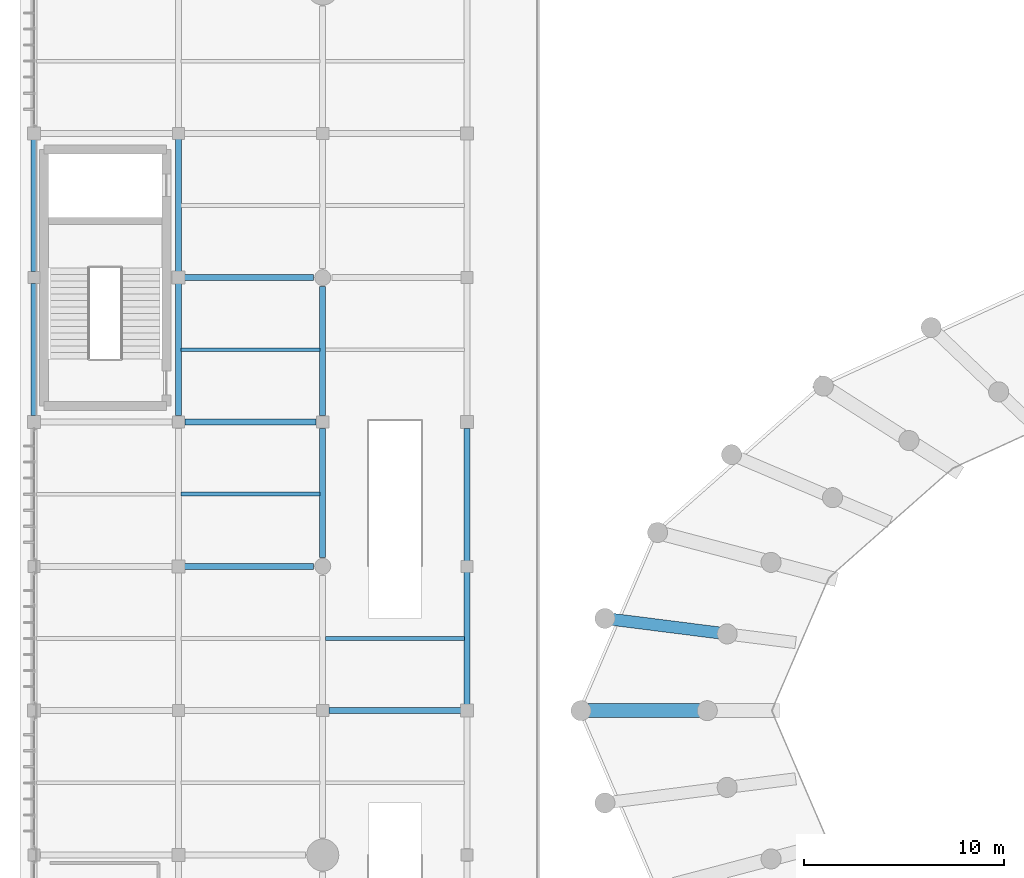
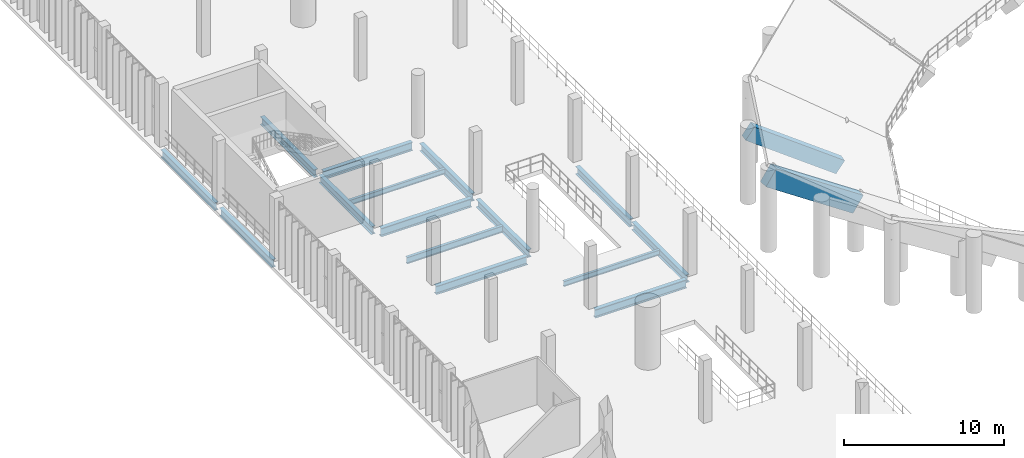
# One storey, part 38 of 105: 17 beams.
"""IFC4 building model written with IfcOpenShell, lengths in metres."""

from ifc_helpers import new_model, si_unit, direction, frame, origin, origin_2d, place, context, subcontext, project, spatial, rectangle, i_section, extrude, material, material_profile, profile_set, type_object, element, save


model = new_model("IFC4")

# Units and contexts
model_context = context("Model", 3, precision=1e-05, world=origin(), true_north=direction((0.0, 1.0)))
body_context = subcontext(model_context, "Body", "Model", "MODEL_VIEW")
ifc_project = project(units=[si_unit("LENGTHUNIT", "METRE"), si_unit("AREAUNIT", "SQUARE_METRE"), si_unit("VOLUMEUNIT", "CUBIC_METRE"), si_unit("PLANEANGLEUNIT", "RADIAN"), si_unit("MASSUNIT", "GRAM", prefix="KILO")], contexts=[model_context])

# Site, building, storey
site_placement = place(None, origin())
site = spatial("IfcSite", under=ifc_project, at=site_placement, CompositionType="ELEMENT")
building_placement = place(site_placement, origin())
building = spatial("IfcBuilding", under=site, at=building_placement, Name="Qandorah Velis Arena", CompositionType="ELEMENT")
storey_placement = place(building_placement, frame((0.0, 0.0, 13.800048828125)))
storey = spatial("IfcBuildingStorey", under=building, at=storey_placement, Name="L03", CompositionType="ELEMENT", Elevation=13.800048828125)

# Beams
ifc_material_1 = material(Name="Steel S355", Category="steel")
ifc_material_profile_1 = material_profile(ifc_material_1, i_section(OverallWidth=0.300048828125, OverallDepth=0.60009765625, WebThickness=0.015380859375, FlangeThickness=0.030029296875, FilletRadius=0.027099609375, at=origin_2d()), Name="HEB 600")
ifc_profile_set_1 = profile_set([ifc_material_profile_1], Name="Steel S355")
beam_type_1 = type_object("IfcBeamType", Name="STR-BM-HEB600", PredefinedType="BEAM", material=ifc_profile_set_1)
beam_1_placement = place(storey_placement, frame((0.0, 79.52490234375, -0.6201171875), z_axis=(0.0, 1.0, 0.0), x_axis=(-1.0, 0.0, 0.0)))
element("IfcBeam", 1, at=beam_1_placement, inside=storey, type_object=beam_type_1, Name="Primary floor girder L03 Y-187", PredefinedType="BEAM", context=body_context, shape_type="SweptSolid", body=[
    extrude(i_section(OverallWidth=0.300048828125, OverallDepth=0.60009765625, WebThickness=0.015380859375, FlangeThickness=0.030029296875, FilletRadius=0.027099609375, at=origin_2d()), origin(), (0.0, 0.0, 1.0), 6.5751953125),
])
beam_2_placement = place(storey_placement, frame((0.0, 86.699951171875, -0.6201171875), z_axis=(0.0, 1.0, 0.0), x_axis=(-1.0, 0.0, 0.0)))
element("IfcBeam", 2, at=beam_2_placement, inside=storey, type_object=beam_type_1, Name="Primary floor girder L03 Y-188", PredefinedType="BEAM", context=body_context, shape_type="SweptSolid", body=[
    extrude(i_section(OverallWidth=0.300048828125, OverallDepth=0.60009765625, WebThickness=0.015380859375, FlangeThickness=0.030029296875, FilletRadius=0.027099609375, at=origin_2d()), origin(), (0.0, 0.0, 1.0), 6.75),
])
beam_3_placement = place(storey_placement, frame((7.199951171875, 79.52490234375, -0.6201171875), z_axis=(0.0, 1.0, 0.0), x_axis=(-1.0, 0.0, 0.0)))
element("IfcBeam", 3, at=beam_3_placement, inside=storey, type_object=beam_type_1, Name="Primary floor girder L03 Y-201", PredefinedType="BEAM", context=body_context, shape_type="SweptSolid", body=[
    extrude(i_section(OverallWidth=0.300048828125, OverallDepth=0.60009765625, WebThickness=0.015380859375, FlangeThickness=0.030029296875, FilletRadius=0.027099609375, at=origin_2d()), origin(), (0.0, 0.0, 1.0), 6.5751953125),
])
beam_4_placement = place(storey_placement, frame((7.199951171875, 86.699951171875, -0.6201171875), z_axis=(0.0, 1.0, 0.0), x_axis=(-1.0, 0.0, 0.0)))
element("IfcBeam", 4, at=beam_4_placement, inside=storey, type_object=beam_type_1, Name="Primary floor girder L03 Y-202", PredefinedType="BEAM", context=body_context, shape_type="SweptSolid", body=[
    extrude(i_section(OverallWidth=0.300048828125, OverallDepth=0.60009765625, WebThickness=0.015380859375, FlangeThickness=0.030029296875, FilletRadius=0.027099609375, at=origin_2d()), origin(), (0.0, 0.0, 1.0), 6.75),
])
for number, where, z_axis, x_axis, name in (
    (5, (14.39990234375, 72.449951171875, -0.6201171875), (0.0, 1.0, 0.0), (-1.0, 0.0, 0.0), "Primary floor girder L03 Y-214"),
    (6, (14.39990234375, 79.52490234375, -0.6201171875), (0.0, 1.0, 0.0), (-1.0, 0.0, 0.0), "Primary floor girder L03 Y-215"),
):
    element("IfcBeam", number, at=place(storey_placement, frame(where, z_axis=z_axis, x_axis=x_axis)), inside=storey, type_object=beam_type_1, Name=name, PredefinedType="BEAM", context=body_context, shape_type="SweptSolid", body=[
        extrude(i_section(OverallWidth=0.300048828125, OverallDepth=0.60009765625, WebThickness=0.015380859375, FlangeThickness=0.030029296875, FilletRadius=0.027099609375, at=origin_2d()), origin(), (0.0, 0.0, 1.0), 6.425048828125),
    ])
beam_5_placement = place(storey_placement, frame((21.60009765625, 65.10009765625, -0.6201171875), z_axis=(0.0, 1.0, 0.0), x_axis=(-1.0, 0.0, 0.0)))
element("IfcBeam", 7, at=beam_5_placement, inside=storey, type_object=beam_type_1, Name="Primary floor girder L03 Y-227", PredefinedType="BEAM", context=body_context, shape_type="SweptSolid", body=[
    extrude(i_section(OverallWidth=0.300048828125, OverallDepth=0.60009765625, WebThickness=0.015380859375, FlangeThickness=0.030029296875, FilletRadius=0.027099609375, at=origin_2d()), origin(), (0.0, 0.0, 1.0), 6.75),
])
beam_6_placement = place(storey_placement, frame((21.60009765625, 72.14990234375, -0.6201171875), z_axis=(0.0, 1.0, 0.0), x_axis=(-1.0, 0.0, 0.0)))
element("IfcBeam", 8, at=beam_6_placement, inside=storey, type_object=beam_type_1, Name="Primary floor girder L03 Y-228", PredefinedType="BEAM", context=body_context, shape_type="SweptSolid", body=[
    extrude(i_section(OverallWidth=0.300048828125, OverallDepth=0.60009765625, WebThickness=0.015380859375, FlangeThickness=0.030029296875, FilletRadius=0.027099609375, at=origin_2d()), origin(), (0.0, 0.0, 1.0), 6.72509765625),
])
ifc_material_profile_2 = material_profile(ifc_material_1, i_section(OverallWidth=0.300048828125, OverallDepth=0.64990234375, WebThickness=0.01611328125, FlangeThickness=0.031005859375, FilletRadius=0.027099609375, at=origin_2d()), Name="HEB 650")
ifc_profile_set_2 = profile_set([ifc_material_profile_2], Name="Steel S355")
beam_type_2 = type_object("IfcBeamType", Name="STR-BM-HEB650", PredefinedType="BEAM", material=ifc_profile_set_2)
beam_7_placement = place(storey_placement, frame((14.699951171875, 64.800048828125, -0.64501953125), z_axis=(1.0, 0.0, 0.0), x_axis=(0.0, 1.0, 0.0)))
element("IfcBeam", 9, at=beam_7_placement, inside=storey, type_object=beam_type_2, Name="Primary floor girder L03 X-091", PredefinedType="BEAM", context=body_context, shape_type="SweptSolid", body=[
    extrude(i_section(OverallWidth=0.300048828125, OverallDepth=0.64990234375, WebThickness=0.01611328125, FlangeThickness=0.031005859375, FilletRadius=0.027099609375, at=origin_2d()), origin(), (0.0, 0.0, 1.0), 6.60009765625),
])
beam_8_placement = place(storey_placement, frame((7.35009765625, 72.0, -0.64501953125), z_axis=(1.0, 0.0, 0.0), x_axis=(0.0, 1.0, 0.0)))
element("IfcBeam", 10, at=beam_8_placement, inside=storey, type_object=beam_type_2, Name="Primary floor girder L03 X-096", PredefinedType="BEAM", context=body_context, shape_type="SweptSolid", body=[
    extrude(i_section(OverallWidth=0.300048828125, OverallDepth=0.64990234375, WebThickness=0.01611328125, FlangeThickness=0.031005859375, FilletRadius=0.027099609375, at=origin_2d()), origin(), (0.0, 0.0, 1.0), 6.599853515625),
])
beam_9_placement = place(storey_placement, frame((7.52490234375, 79.199951171875, -0.64501953125), z_axis=(1.0, 0.0, 0.0), x_axis=(0.0, 1.0, 0.0)))
element("IfcBeam", 11, at=beam_9_placement, inside=storey, type_object=beam_type_2, Name="Primary floor girder L03 X-101", PredefinedType="BEAM", context=body_context, shape_type="SweptSolid", body=[
    extrude(i_section(OverallWidth=0.300048828125, OverallDepth=0.64990234375, WebThickness=0.01611328125, FlangeThickness=0.031005859375, FilletRadius=0.027099609375, at=origin_2d()), origin(), (0.0, 0.0, 1.0), 6.550048828125),
])
beam_10_placement = place(storey_placement, frame((7.5, 86.39990234375, -0.64501953125), z_axis=(1.0, 0.0, 0.0), x_axis=(0.0, 1.0, 0.0)))
element("IfcBeam", 12, at=beam_10_placement, inside=storey, type_object=beam_type_2, Name="Primary floor girder L03 X-105", PredefinedType="BEAM", context=body_context, shape_type="SweptSolid", body=[
    extrude(i_section(OverallWidth=0.300048828125, OverallDepth=0.64990234375, WebThickness=0.01611328125, FlangeThickness=0.031005859375, FilletRadius=0.027099609375, at=origin_2d()), origin(), (0.0, 0.0, 1.0), 6.449951171875),
])
ifc_material_profile_3 = material_profile(ifc_material_1, i_section(OverallWidth=0.179931640625, OverallDepth=0.39990234375, WebThickness=0.008544921875, FlangeThickness=0.013427734375, FilletRadius=0.02099609375, at=origin_2d()), Name="IPE 400")
ifc_profile_set_3 = profile_set([ifc_material_profile_3], Name="Steel S355")
beam_type_3 = type_object("IfcBeamType", Name="STR-JST-IPE400", PredefinedType="JOIST", material=ifc_profile_set_3)
beam_11_placement = place(storey_placement, frame((7.3349609375, 82.800048828125, -0.52001953125), z_axis=(1.0, 0.0, 0.0), x_axis=(0.0, 1.0, 0.0)))
element("IfcBeam", 13, at=beam_11_placement, inside=storey, type_object=beam_type_3, Name="Secondary floor joist L03-020", PredefinedType="JOIST", context=body_context, shape_type="SweptSolid", body=[
    extrude(i_section(OverallWidth=0.179931640625, OverallDepth=0.39990234375, WebThickness=0.008544921875, FlangeThickness=0.013427734375, FilletRadius=0.02099609375, at=origin_2d()), origin(), (0.0, 0.0, 1.0), 6.929931640625),
])
beam_12_placement = place(storey_placement, frame((14.534912109375, 68.39990234375, -0.52001953125), z_axis=(1.0, 0.0, 0.0), x_axis=(0.0, 1.0, 0.0)))
element("IfcBeam", 14, at=beam_12_placement, inside=storey, type_object=beam_type_3, Name="Secondary floor joist L03-031", PredefinedType="JOIST", context=body_context, shape_type="SweptSolid", body=[
    extrude(i_section(OverallWidth=0.179931640625, OverallDepth=0.39990234375, WebThickness=0.008544921875, FlangeThickness=0.013427734375, FilletRadius=0.02099609375, at=origin_2d()), origin(), (0.0, 0.0, 1.0), 6.93017578125),
])
ifc_material_profile_4 = material_profile(ifc_material_1, i_section(OverallWidth=0.199951171875, OverallDepth=0.5, WebThickness=0.01025390625, FlangeThickness=0.01611328125, FilletRadius=0.02099609375, at=origin_2d()), Name="IPE 500")
ifc_profile_set_4 = profile_set([ifc_material_profile_4], Name="Steel S355")
beam_type_4 = type_object("IfcBeamType", Name="STR-JST-IPE500", PredefinedType="JOIST", material=ifc_profile_set_4)
beam_13_placement = place(storey_placement, frame((7.3349609375, 75.60009765625, -0.570068359375), z_axis=(1.0, 0.0, 0.0), x_axis=(0.0, 1.0, 0.0)))
element("IfcBeam", 15, at=beam_13_placement, inside=storey, type_object=beam_type_4, Name="Secondary floor joist L03-019", PredefinedType="JOIST", context=body_context, shape_type="SweptSolid", body=[
    extrude(i_section(OverallWidth=0.199951171875, OverallDepth=0.5, WebThickness=0.01025390625, FlangeThickness=0.01611328125, FilletRadius=0.02099609375, at=origin_2d()), origin(), (0.0, 0.0, 1.0), 6.929931640625),
])
ifc_material_2 = material(Name="Concrete C40/50", Category="concrete")
ifc_material_profile_5 = material_profile(ifc_material_2, rectangle(XDim=0.60009765625, YDim=1.050048828125, at=origin_2d()), Name="RC RAKER 600x1050")
ifc_profile_set_5 = profile_set([ifc_material_profile_5], Name="Concrete C40/50")
beam_type_5 = type_object("IfcBeamType", Name="STR-RAK-600X1050", PredefinedType="USERDEFINED", material=ifc_profile_set_5)
beam_14_placement = place(storey_placement, frame((34.573974609375, 68.62841796875, 1.40966796875), z_axis=(-0.816981535734, 0.10346754109, 0.567305595081), x_axis=(-0.12564252233, -0.992075580076, 0.0)))
element("IfcBeam", 16, at=beam_14_placement, inside=storey, type_object=beam_type_5, Name="Upper bowl back-span raker RB-UB08.2", ObjectType="RAKER BEAM", PredefinedType="USERDEFINED", context=body_context, shape_type="SweptSolid", body=[
    extrude(rectangle(XDim=0.60009765625, YDim=1.050048828125, at=origin_2d()), origin(), (0.0, 0.0, 1.0), 7.4658203125),
])
ifc_material_profile_6 = material_profile(ifc_material_2, rectangle(XDim=0.699951171875, YDim=1.35009765625, at=origin_2d()), Name="RC RAKER 700x1350")
ifc_profile_set_6 = profile_set([ifc_material_profile_6], Name="Concrete C40/50")
beam_type_6 = type_object("IfcBeamType", Name="STR-RAK-700X1350", PredefinedType="USERDEFINED", material=ifc_profile_set_6)
beam_15_placement = place(storey_placement, frame((33.580078125, 64.800048828125, 1.259765625), z_axis=(-0.829911631515, 0.0, 0.557894868122), x_axis=(0.0, -1.0, 0.0)))
element("IfcBeam", 17, at=beam_15_placement, inside=storey, type_object=beam_type_6, Name="Upper bowl back-span raker RB-UB09.1", ObjectType="RAKER BEAM", PredefinedType="USERDEFINED", context=body_context, shape_type="SweptSolid", body=[
    extrude(rectangle(XDim=0.699951171875, YDim=1.35009765625, at=origin_2d()), origin(), (0.0, 0.0, 1.0), 7.59130859375),
])

save(model, "model.ifc")
